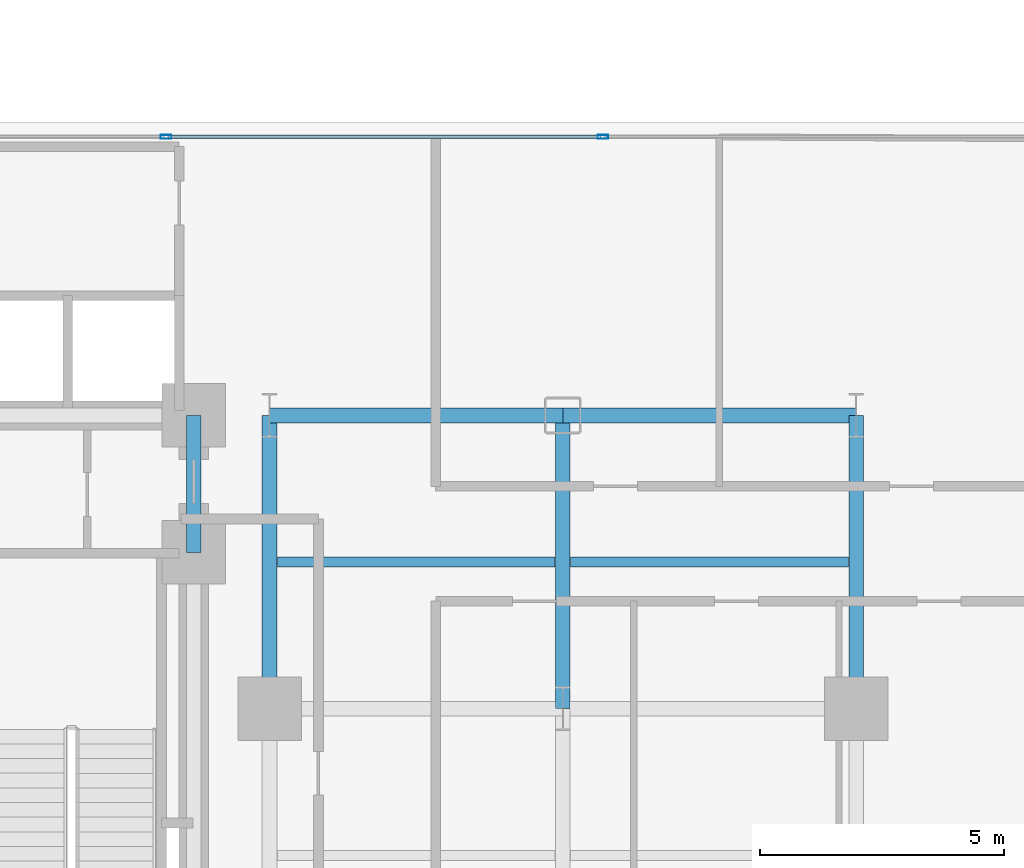
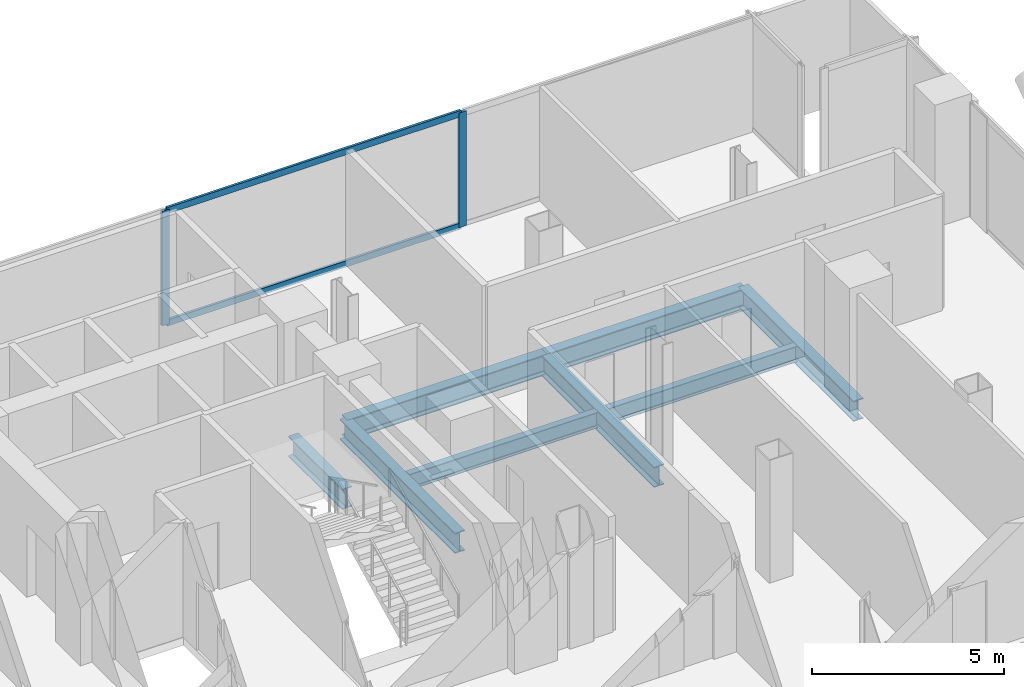
# One storey, part 11 of 27: 8 beams, 4 members, 1 element without a shape of its own.
"""IFC4 building model written with IfcOpenShell, lengths in metres."""

from ifc_helpers import new_model, si_unit, direction, frame, origin, origin_2d, place, context, subcontext, project, spatial, hollow_rectangle, i_section, extrude, material, layer, layer_set, material_profile, profile_set, type_object, element, aggregate, save


model = new_model("IFC4")

# Units and contexts
model_context = context("Model", 3, precision=1e-05, world=origin(), true_north=direction((0.0, 1.0)))
body_context = subcontext(model_context, "Body", "Model", "MODEL_VIEW")
ifc_project = project(units=[si_unit("LENGTHUNIT", "METRE"), si_unit("AREAUNIT", "SQUARE_METRE"), si_unit("VOLUMEUNIT", "CUBIC_METRE"), si_unit("PLANEANGLEUNIT", "RADIAN"), si_unit("MASSUNIT", "GRAM", prefix="KILO"), si_unit("THERMODYNAMICTEMPERATUREUNIT", "KELVIN"), si_unit("POWERUNIT", "WATT")], contexts=[model_context])

# Site, building, storey
site_placement = place(None, origin())
site = spatial("IfcSite", under=ifc_project, at=site_placement, CompositionType="ELEMENT")
building_placement = place(site_placement, origin())
building = spatial("IfcBuilding", under=site, at=building_placement, Name="Svarakhadi Broadcast Tower", CompositionType="ELEMENT")
storey_placement = place(building_placement, frame((0.0, 0.0, 44.10009765625)))
storey = spatial("IfcBuildingStorey", under=building, at=storey_placement, Name="L09", CompositionType="ELEMENT", Elevation=44.10009765625)

# Beams
ifc_material_1 = material(Name="Steel S355J2 (IS 2062 E350C)", Category="steel")
ifc_material_profile_1 = material_profile(ifc_material_1, i_section(OverallWidth=0.199951171875, OverallDepth=0.5, WebThickness=0.01025390625, FlangeThickness=0.01611328125, FilletRadius=0.02099609375, at=origin_2d()), Name="NPB 500x200x91")
ifc_profile_set_1 = profile_set([ifc_material_profile_1], Name="Steel S355J2 (IS 2062 E350C)")
beam_type_1 = type_object("IfcBeamType", Name="Beam_NPB500", PredefinedType="BEAM", material=ifc_profile_set_1)
for number, where, z_axis, x_axis, name in (
    (1, (35.31005859375, 15.0, -0.5), (1.0, 0.0, 0.0), (0.0, 1.0, 0.0), "L09 Secondary Composite Beam SB024"),
    (2, (41.31005859375, 15.0, -0.5), (1.0, 0.0, 0.0), (0.0, 1.0, 0.0), "L09 Secondary Composite Beam SB027"),
):
    element("IfcBeam", number, at=place(storey_placement, frame(where, z_axis=z_axis, x_axis=x_axis)), inside=storey, type_object=beam_type_1, Name=name, PredefinedType="BEAM", context=body_context, shape_type="SweptSolid", body=[
        extrude(i_section(OverallWidth=0.199951171875, OverallDepth=0.5, WebThickness=0.01025390625, FlangeThickness=0.01611328125, FilletRadius=0.02099609375, at=origin_2d()), origin(), (0.0, 0.0, 1.0), 5.679931640625),
    ])

# Curtain wall, members
ifc_material_2 = material(Name="Anodised Bronze Aluminium AA 6063-T6", Category="aluminium")
ifc_layer = layer(ifc_material_2, 0.219970703125)
ifc_layer_set = layer_set([ifc_layer], Name="Anodised Bronze Aluminium AA 6063-T6")
curtain_wall_type = type_object("IfcCurtainWallType", Name="CW_Sys_02", PredefinedType="NOTDEFINED", material=ifc_layer_set)
curtain_wall_placement = place(storey_placement, origin())
curtain_wall = element("IfcCurtainWall", 3, at=curtain_wall_placement, inside=storey, type_object=curtain_wall_type, Name="L09 Unitised Facade Curtain Wall 10", PredefinedType="NOTDEFINED")
ifc_material_profile_2 = material_profile(ifc_material_2, hollow_rectangle(XDim=0.0849609375, YDim=0.219970703125, WallThickness=0.006103515625, at=origin_2d()), Name="ALU MULLION 220x85x6")
ifc_profile_set_2 = profile_set([ifc_material_profile_2], Name="Anodised Bronze Aluminium AA 6063-T6")
member_type_1 = type_object("IfcMemberType", Name="CW_Sys_02_Mul", PredefinedType="MULLION", material=ifc_profile_set_2)
member_1_placement = place(storey_placement, frame((33.030029296875, 23.699951171875, 0.0), z_axis=(0.0, 0.0, 1.0), x_axis=(0.0, 1.0, 0.0)))
member_1 = element("IfcMember", 4, at=member_1_placement, type_object=member_type_1, Name="CW-02 mullion 2", PredefinedType="MULLION", context=body_context, shape_type="SweptSolid", body=[
    extrude(hollow_rectangle(XDim=0.0849609375, YDim=0.219970703125, WallThickness=0.006103515625, at=origin_2d()), origin(), (0.0, 0.0, 1.0), 3.64990234375),
])
member_2_placement = place(storey_placement, frame((41.969970703125, 23.699951171875, 0.0), z_axis=(0.0, 0.0, 1.0), x_axis=(0.0, 1.0, 0.0)))
member_2 = element("IfcMember", 5, at=member_2_placement, type_object=member_type_1, Name="CW-02 mullion 3", PredefinedType="MULLION", context=body_context, shape_type="SweptSolid", body=[
    extrude(hollow_rectangle(XDim=0.0849609375, YDim=0.219970703125, WallThickness=0.006103515625, at=origin_2d()), origin(), (0.0, 0.0, 1.0), 3.64990234375),
])
ifc_material_profile_3 = material_profile(ifc_material_2, hollow_rectangle(XDim=0.074951171875, YDim=0.199951171875, WallThickness=0.0048828125, at=origin_2d()), Name="ALU TRANSOM 200x75x5")
ifc_profile_set_3 = profile_set([ifc_material_profile_3], Name="Anodised Bronze Aluminium AA 6063-T6")
member_type_2 = type_object("IfcMemberType", Name="CW_Sys_02_Trn", PredefinedType="USERDEFINED", material=ifc_profile_set_3)
member_3_placement = place(storey_placement, frame((33.072509765625, 23.699951171875, 0.037353515625), z_axis=(1.0, 0.0, 0.0), x_axis=(0.0, 1.0, 0.0)))
member_3 = element("IfcMember", 6, at=member_3_placement, type_object=member_type_2, Name="CW-02 transom 2.1", ObjectType="TRANSOM", PredefinedType="USERDEFINED", context=body_context, shape_type="SweptSolid", body=[
    extrude(hollow_rectangle(XDim=0.074951171875, YDim=0.199951171875, WallThickness=0.0048828125, at=origin_2d()), origin(), (0.0, 0.0, 1.0), 8.85498046875),
])
member_4_placement = place(storey_placement, frame((33.072509765625, 23.699951171875, 3.6123046875), z_axis=(1.0, 0.0, 0.0), x_axis=(0.0, 1.0, 0.0)))
member_4 = element("IfcMember", 7, at=member_4_placement, type_object=member_type_2, Name="CW-02 transom 2.2", ObjectType="TRANSOM", PredefinedType="USERDEFINED", context=body_context, shape_type="SweptSolid", body=[
    extrude(hollow_rectangle(XDim=0.074951171875, YDim=0.199951171875, WallThickness=0.0048828125, at=origin_2d()), origin(), (0.0, 0.0, 1.0), 8.85498046875),
])
aggregate(curtain_wall, [member_1, member_2, member_3, member_4])

# Beams
ifc_material_profile_4 = material_profile(ifc_material_1, i_section(OverallWidth=0.300048828125, OverallDepth=0.64990234375, WebThickness=0.01611328125, FlangeThickness=0.031005859375, FilletRadius=0.027099609375, at=origin_2d()), Name="WPB 650x300x225")
ifc_profile_set_4 = profile_set([ifc_material_profile_4], Name="Steel S355J2 (IS 2062 E350C)")
beam_type_2 = type_object("IfcBeamType", Name="Girder_WPB650", PredefinedType="USERDEFINED", material=ifc_profile_set_4)
for number, where, z_axis, x_axis, name in (
    (8, (35.14990234375, 18.0, -0.5751953125), (1.0, 0.0, 0.0), (0.0, 1.0, 0.0), "L09 Primary E-W Girder G030"),
    (9, (41.14990234375, 18.0, -0.5751953125), (1.0, 0.0, 0.0), (0.0, 1.0, 0.0), "L09 Primary E-W Girder G031"),
):
    element("IfcBeam", number, at=place(storey_placement, frame(where, z_axis=z_axis, x_axis=x_axis)), inside=storey, type_object=beam_type_2, Name=name, ObjectType="GIRDER", PredefinedType="USERDEFINED", context=body_context, shape_type="SweptSolid", body=[
        extrude(i_section(OverallWidth=0.300048828125, OverallDepth=0.64990234375, WebThickness=0.01611328125, FlangeThickness=0.031005859375, FilletRadius=0.027099609375, at=origin_2d()), origin(), (0.0, 0.0, 1.0), 6.0),
    ])
beam_placement = place(storey_placement, frame((33.60009765625, 15.199951171875, -0.5751953125), z_axis=(0.0, 1.0, 0.0), x_axis=(-1.0, 0.0, 0.0)))
element("IfcBeam", 10, at=beam_placement, inside=storey, type_object=beam_type_2, Name="L09 Primary N-S Girder G075", ObjectType="GIRDER", PredefinedType="USERDEFINED", context=body_context, shape_type="SweptSolid", body=[
    extrude(i_section(OverallWidth=0.300048828125, OverallDepth=0.64990234375, WebThickness=0.01611328125, FlangeThickness=0.031005859375, FilletRadius=0.027099609375, at=origin_2d()), origin(), (0.0, 0.0, 1.0), 2.800048828125),
])
for number, where, z_axis, x_axis, name in (
    (11, (35.14990234375, 12.0, -0.5751953125), (0.0, 1.0, 0.0), (-1.0, 0.0, 0.0), "L09 Primary N-S Girder G078"),
    (12, (41.14990234375, 12.0, -0.5751953125), (0.0, 1.0, 0.0), (-1.0, 0.0, 0.0), "L09 Primary N-S Girder G081"),
    (13, (47.14990234375, 12.0, -0.5751953125), (0.0, 1.0, 0.0), (-1.0, 0.0, 0.0), "L09 Primary N-S Girder G084"),
):
    element("IfcBeam", number, at=place(storey_placement, frame(where, z_axis=z_axis, x_axis=x_axis)), inside=storey, type_object=beam_type_2, Name=name, ObjectType="GIRDER", PredefinedType="USERDEFINED", context=body_context, shape_type="SweptSolid", body=[
        extrude(i_section(OverallWidth=0.300048828125, OverallDepth=0.64990234375, WebThickness=0.01611328125, FlangeThickness=0.031005859375, FilletRadius=0.027099609375, at=origin_2d()), origin(), (0.0, 0.0, 1.0), 6.0),
    ])

save(model, "model.ifc")
